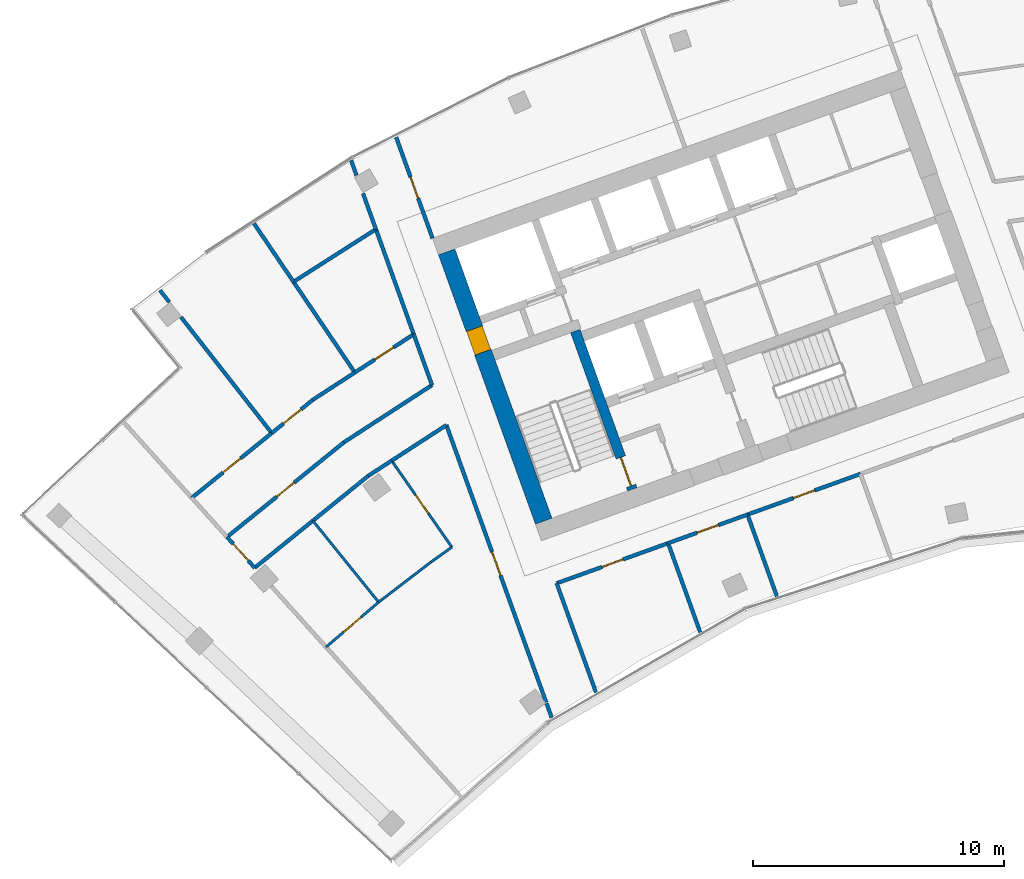
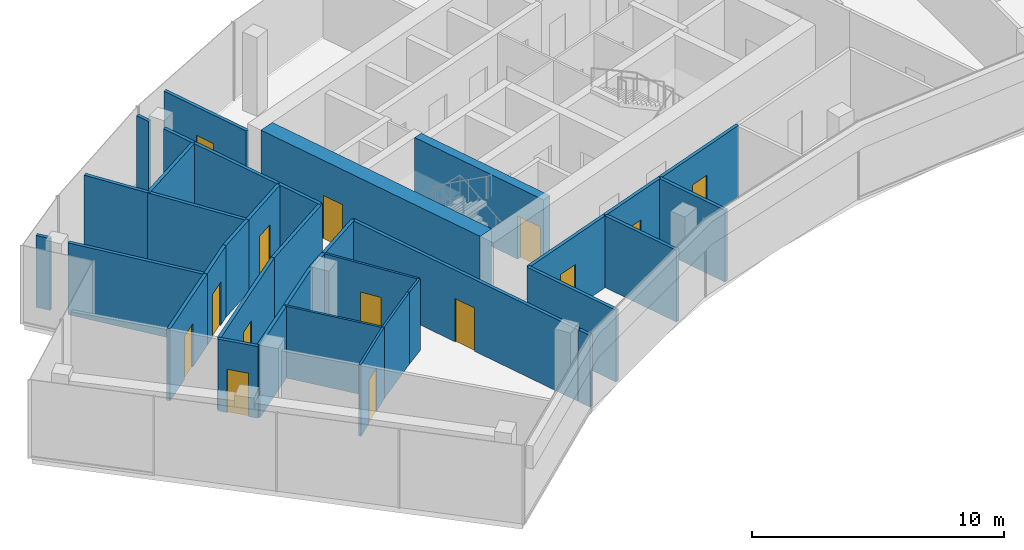
# One storey, part 12 of 18: 36 walls, 14 doors, 14 openings.
"""IFC4 building model written with IfcOpenShell, lengths in metres."""

from ifc_helpers import new_model, si_unit, direction, frame, frame_2d, origin, place, context, subcontext, project, spatial, rectangle, extrude, material, layer, layer_set, type_object, element, fill, save


model = new_model("IFC4")

# Units and contexts
model_context = context("Model", 3, precision=1e-05, world=origin(), true_north=direction((0.0, 1.0)))
body_context = subcontext(model_context, "Body", "Model", "MODEL_VIEW")
ifc_project = project(units=[si_unit("LENGTHUNIT", "METRE"), si_unit("AREAUNIT", "SQUARE_METRE"), si_unit("VOLUMEUNIT", "CUBIC_METRE"), si_unit("PLANEANGLEUNIT", "RADIAN"), si_unit("MASSUNIT", "GRAM", prefix="KILO")], contexts=[model_context])

# Site, building, storey
site_placement = place(None, origin())
site = spatial("IfcSite", under=ifc_project, at=site_placement, CompositionType="ELEMENT")
building_placement = place(site_placement, origin())
building = spatial("IfcBuilding", under=site, at=building_placement, Name="Stone Belt Terrace Tower", CompositionType="ELEMENT")
storey_placement = place(building_placement, frame((0.0, 0.0, 296.0)))
storey = spatial("IfcBuildingStorey", under=building, at=storey_placement, Name="L72", CompositionType="ELEMENT", Elevation=296.0)

# Wall, opening, door
ifc_material_1 = material(Name="Concrete B60", Category="concrete")
ifc_layer_1 = layer(ifc_material_1, 0.699951171875)
ifc_layer_set_1 = layer_set([ifc_layer_1], Name="Core wall 700 B60")
wall_type_1 = type_object("IfcWallType", Name="Core wall 700 B60", PredefinedType="SHEAR", material=ifc_layer_set_1)
wall_1_placement = place(storey_placement, frame((-25.679931640625, 43.153564453125, 0.0), z_axis=(0.0, 0.0, 1.0), x_axis=(-0.338625431531, 0.940921259788, 0.0)))
wall_1 = element("IfcWall", 1, at=wall_1_placement, inside=storey, type_object=wall_type_1, Name="Core A wall end_a L72", PredefinedType="SHEAR", context=body_context, shape_type="SweptSolid", body=[
    extrude(rectangle(XDim=11.400146484375, YDim=0.699951171875, at=frame_2d((5.7001953125, 0.0))), origin(), (0.0, 0.0, 1.0), 3.800048828125),
])
opening_1_placement = place(wall_1_placement, frame((7.14990234375, 0.0, 0.0)))
opening_1 = element("IfcOpeningElement", 2, at=opening_1_placement, cuts=wall_1, Name="Opening L72-C06", PredefinedType="OPENING", context=body_context, shape_type="SweptSolid", body=[
    extrude(rectangle(XDim=1.0, YDim=2.10009765625, at=frame_2d((0.5, 1.050048828125))), frame((0.0, 0.35986328125, 0.0), z_axis=(0.0, -1.0, 0.0), x_axis=(1.0, 0.0, 0.0)), (0.0, 0.0, 1.0), 0.719970703125),
])
ifc_material_2 = material(Name="Timber door leaf", Category="wood")
door_type_1 = type_object("IfcDoorType", Name="Core room door 1000", OperationType="SINGLE_SWING_LEFT", PredefinedType="DOOR", material=ifc_material_2)
door_1_placement = place(opening_1_placement, origin())
door_1 = element("IfcDoor", 3, at=door_1_placement, inside=storey, type_object=door_type_1, Name="Door to Telecommunications riser room core A", OperationType="SINGLE_SWING_LEFT", OverallHeight=2.10009765625, OverallWidth=1.0, PredefinedType="DOOR", context=body_context, shape_type="SweptSolid", body=[
    extrude(rectangle(XDim=1.0, YDim=2.10009765625, at=frame_2d((0.5, 1.050048828125))), frame((0.0, 0.330078125, 0.0), z_axis=(0.0, -1.0, 0.0), x_axis=(1.0, 0.0, 0.0)), (0.0, 0.0, 1.0), 0.659912109375),
])
fill(opening_1, door_1)

ifc_material_3 = material(Name="Gypsum board partition")
ifc_layer_2 = layer(ifc_material_3, 0.10009765625)
ifc_layer_set_2 = layer_set([ifc_layer_2], Name="PARTITION 100")
wall_type_2 = type_object("IfcWallType", Name="PARTITION 100", PredefinedType="PARTITIONING", material=ifc_layer_set_2)
wall_2_placement = place(storey_placement, frame((-34.345947265625, 38.14501953125, 0.0), z_axis=(0.0, 0.0, 1.0), x_axis=(0.760714101822, 0.649087093763, 0.0)))
wall_2 = element("IfcWall", 4, at=wall_2_placement, inside=storey, type_object=wall_type_2, Name="L72/wall/i053", PredefinedType="PARTITIONING", context=body_context, shape_type="SweptSolid", body=[
    extrude(rectangle(XDim=2.75146484375, YDim=0.10009765625, at=frame_2d((1.375732421875, 0.0))), origin(), (0.0, 0.0, 1.0), 3.47998046875),
])
opening_2_placement = place(wall_2_placement, frame((0.92578125, 0.0, 0.0)))
opening_2 = element("IfcOpeningElement", 5, at=opening_2_placement, cuts=wall_2, Name="Opening D-E5-15", PredefinedType="OPENING", context=body_context, shape_type="SweptSolid", body=[
    extrude(rectangle(XDim=0.89990234375, YDim=2.10009765625, at=frame_2d((0.449951171875, 1.050048828125))), frame((0.0, 0.06005859375, 0.0), z_axis=(0.0, -1.0, 0.0), x_axis=(1.0, 0.0, 0.0)), (0.0, 0.0, 1.0), 0.1201171875),
])
door_type_2 = type_object("IfcDoorType", Name="OFFICE DOOR 900 X 2100", OperationType="NOTDEFINED", PredefinedType="DOOR", material=ifc_material_2)
door_2_placement = place(opening_2_placement, origin())
door_2 = element("IfcDoor", 6, at=door_2_placement, inside=storey, type_object=door_type_2, Name="L72/door/i15", OperationType="SINGLE_SWING_RIGHT", OverallHeight=2.10009765625, OverallWidth=0.89990234375, PredefinedType="DOOR", context=body_context, shape_type="SweptSolid", body=[
    extrude(rectangle(XDim=0.89990234375, YDim=2.10009765625, at=frame_2d((0.449951171875, 1.050048828125))), frame((0.0, 0.02490234375, 0.0), z_axis=(0.0, -1.0, 0.0), x_axis=(1.0, 0.0, 0.0)), (0.0, 0.0, 1.0), 0.050048828125),
])
fill(opening_2, door_2)

# Walls
wall_3_placement = place(storey_placement, frame((-32.2529296875, 39.930908203125, 0.0), z_axis=(0.0, 0.0, 1.0), x_axis=(0.793612352495, 0.608423728965, 0.0)))
element("IfcWall", 7, at=wall_3_placement, inside=storey, type_object=wall_type_2, Name="L72/wall/i054", PredefinedType="PARTITIONING", context=body_context, shape_type="SweptSolid", body=[
    extrude(rectangle(XDim=2.62353515625, YDim=0.10009765625, at=frame_2d((1.311767578125, 0.0))), origin(), (0.0, 0.0, 1.0), 3.47998046875),
])
wall_4_placement = place(storey_placement, frame((-30.1708984375, 41.527099609375, 0.0), z_axis=(0.0, 0.0, 1.0), x_axis=(0.814842783231, 0.579682015088, 0.0)))
element("IfcWall", 8, at=wall_4_placement, inside=storey, type_object=wall_type_2, Name="L72/wall/i055", PredefinedType="PARTITIONING", context=body_context, shape_type="SweptSolid", body=[
    extrude(rectangle(XDim=1.024658203125, YDim=0.10009765625, at=frame_2d((0.51220703125, 0.0))), origin(), (0.0, 0.0, 1.0), 3.47998046875),
])

# Wall, opening, door
wall_5_placement = place(storey_placement, frame((-29.3359375, 42.12109375, 0.0), z_axis=(0.0, 0.0, 1.0), x_axis=(-0.571618252219, 0.820519697344, 0.0)))
wall_5 = element("IfcWall", 9, at=wall_5_placement, inside=storey, type_object=wall_type_2, Name="L72/wall/i056", PredefinedType="PARTITIONING", context=body_context, shape_type="SweptSolid", body=[
    extrude(rectangle(XDim=4.197265625, YDim=0.10009765625, at=frame_2d((2.0986328125, 0.0))), origin(), (0.0, 0.0, 1.0), 3.47998046875),
])
opening_3_placement = place(wall_5_placement, frame((1.648681640625, 0.0, 0.0)))
opening_3 = element("IfcOpeningElement", 10, at=opening_3_placement, cuts=wall_5, Name="Opening D-E5-16", PredefinedType="OPENING", context=body_context, shape_type="SweptSolid", body=[
    extrude(rectangle(XDim=0.89990234375, YDim=2.10009765625, at=frame_2d((0.449951171875, 1.050048828125))), frame((0.0, 0.06005859375, 0.0), z_axis=(0.0, -1.0, 0.0), x_axis=(1.0, 0.0, 0.0)), (0.0, 0.0, 1.0), 0.1201171875),
])
door_3_placement = place(opening_3_placement, origin())
door_3 = element("IfcDoor", 11, at=door_3_placement, inside=storey, type_object=door_type_2, Name="L72/door/i16", OperationType="SINGLE_SWING_RIGHT", OverallHeight=2.10009765625, OverallWidth=0.89990234375, PredefinedType="DOOR", context=body_context, shape_type="SweptSolid", body=[
    extrude(rectangle(XDim=0.89990234375, YDim=2.10009765625, at=frame_2d((0.449951171875, 1.050048828125))), frame((0.0, 0.02490234375, 0.0), z_axis=(0.0, -1.0, 0.0), x_axis=(1.0, 0.0, 0.0)), (0.0, 0.0, 1.0), 0.050048828125),
])
fill(opening_3, door_3)

# Walls
wall_6_placement = place(storey_placement, frame((-34.873046875, 43.174072265625, 0.0), z_axis=(0.0, 0.0, 1.0), x_axis=(0.628429786717, -0.777866314457, 0.0)))
element("IfcWall", 12, at=wall_6_placement, inside=storey, type_object=wall_type_2, Name="L72/wall/i057", PredefinedType="PARTITIONING", context=body_context, shape_type="SweptSolid", body=[
    extrude(rectangle(XDim=4.169189453125, YDim=0.10009765625, at=frame_2d((2.08447265625, 0.0))), origin(), (0.0, 0.0, 1.0), 3.47998046875),
])
ifc_layer_3 = layer(ifc_material_3, 0.14990234375)
ifc_layer_set_3 = layer_set([ifc_layer_3], Name="PARTITION 150 EI 60")
wall_type_3 = type_object("IfcWallType", Name="PARTITION 150 EI 60", PredefinedType="PARTITIONING", material=ifc_layer_set_3)
wall_7_placement = place(storey_placement, frame((-25.1650390625, 40.68896484375, 0.0), z_axis=(0.0, 0.0, 1.0), x_axis=(0.338609342271, -0.94092704995, 0.0)))
element("IfcWall", 13, at=wall_7_placement, inside=storey, type_object=wall_type_3, Name="L72/wall/i001", PredefinedType="PARTITIONING", context=body_context, shape_type="SweptSolid", body=[
    extrude(rectangle(XDim=4.6318359375, YDim=0.14990234375, at=frame_2d((2.31591796875, 0.0))), origin(), (0.0, 0.0, 1.0), 3.47998046875),
])

# Wall, opening, door
wall_8_placement = place(storey_placement, frame((-31.556884765625, 58.4521484375, 0.0), z_axis=(0.0, 0.0, 1.0), x_axis=(0.338580264222, -0.940937513695, 0.0)))
wall_8 = element("IfcWall", 14, at=wall_8_placement, inside=storey, type_object=wall_type_3, Name="L72/wall/i002", PredefinedType="PARTITIONING", context=body_context, shape_type="SweptSolid", body=[
    extrude(rectangle(XDim=4.285400390625, YDim=0.14990234375, at=frame_2d((2.142578125, 0.0))), origin(), (0.0, 0.0, 1.0), 3.47998046875),
])
opening_4_placement = place(wall_8_placement, frame((1.692626953125, 0.0, 0.0)))
opening_4 = element("IfcOpeningElement", 15, at=opening_4_placement, cuts=wall_8, Name="Opening D-E5-05", PredefinedType="OPENING", context=body_context, shape_type="SweptSolid", body=[
    extrude(rectangle(XDim=0.89990234375, YDim=2.10009765625, at=frame_2d((0.449951171875, 1.050048828125))), frame((0.0, 0.0849609375, 0.0), z_axis=(0.0, -1.0, 0.0), x_axis=(1.0, 0.0, 0.0)), (0.0, 0.0, 1.0), 0.169921875),
])
door_4_placement = place(opening_4_placement, origin())
door_4 = element("IfcDoor", 16, at=door_4_placement, inside=storey, type_object=door_type_2, Name="L72/door/i05", OperationType="SINGLE_SWING_RIGHT", OverallHeight=2.10009765625, OverallWidth=0.89990234375, PredefinedType="DOOR", context=body_context, shape_type="SweptSolid", body=[
    extrude(rectangle(XDim=0.89990234375, YDim=2.10009765625, at=frame_2d((0.449951171875, 1.050048828125))), frame((0.0, 0.02490234375, 0.0), z_axis=(0.0, -1.0, 0.0), x_axis=(1.0, 0.0, 0.0)), (0.0, 0.0, 1.0), 0.050048828125),
])
fill(opening_4, door_4)

# Wall
wall_9_placement = place(storey_placement, frame((-25.361083984375, 35.329833984375, 0.0), z_axis=(0.0, 0.0, 1.0), x_axis=(-0.338633814852, 0.940918242696, 0.0)))
element("IfcWall", 17, at=wall_9_placement, inside=storey, type_object=wall_type_3, Name="L72/wall/i003", PredefinedType="PARTITIONING", context=body_context, shape_type="SweptSolid", body=[
    extrude(rectangle(XDim=0.605712890625, YDim=0.14990234375, at=frame_2d((0.302734375, 0.0))), origin(), (0.0, 0.0, 1.0), 3.47998046875),
])

# Wall, opening, door
wall_10_placement = place(storey_placement, frame((-25.5810546875, 35.94091796875, 0.0), z_axis=(0.0, 0.0, 1.0), x_axis=(-0.338660555828, 0.940908618265, 0.0)))
wall_10 = element("IfcWall", 18, at=wall_10_placement, inside=storey, type_object=wall_type_3, Name="L72/wall/i004", PredefinedType="PARTITIONING", context=body_context, shape_type="SweptSolid", body=[
    extrude(rectangle(XDim=11.73974609375, YDim=0.14990234375, at=frame_2d((5.869873046875, 0.0))), origin(), (0.0, 0.0, 1.0), 3.47998046875),
])
opening_5_placement = place(wall_10_placement, frame((5.369873046875, 0.0, 0.0)))
opening_5 = element("IfcOpeningElement", 19, at=opening_5_placement, cuts=wall_10, Name="Opening D-E5-14", PredefinedType="OPENING", context=body_context, shape_type="SweptSolid", body=[
    extrude(rectangle(XDim=1.0, YDim=2.10009765625, at=frame_2d((0.5, 1.050048828125))), frame((0.0, 0.0849609375, 0.0), z_axis=(0.0, -1.0, 0.0), x_axis=(1.0, 0.0, 0.0)), (0.0, 0.0, 1.0), 0.169921875),
])
ifc_material_4 = material(Name="Timber fire door leaf", Category="wood")
door_type_3 = type_object("IfcDoorType", Name="TENANCY ENTRANCE DOOR 1000 X 2100", OperationType="NOTDEFINED", PredefinedType="DOOR", material=ifc_material_4)
door_5_placement = place(opening_5_placement, origin())
door_5 = element("IfcDoor", 20, at=door_5_placement, inside=storey, type_object=door_type_3, Name="L72/door/i14", OperationType="SINGLE_SWING_LEFT", OverallHeight=2.10009765625, OverallWidth=1.0, PredefinedType="DOOR", context=body_context, shape_type="SweptSolid", body=[
    extrude(rectangle(XDim=1.0, YDim=2.10009765625, at=frame_2d((0.5, 1.050048828125))), frame((0.0, 0.02490234375, 0.0), z_axis=(0.0, -1.0, 0.0), x_axis=(1.0, 0.0, 0.0)), (0.0, 0.0, 1.0), 0.050048828125),
])
fill(opening_5, door_5)

# Walls
wall_11_placement = place(storey_placement, frame((-30.1259765625, 48.568115234375, 0.0), z_axis=(0.0, 0.0, 1.0), x_axis=(-0.338315840616, 0.941032620045, 0.0)))
element("IfcWall", 21, at=wall_11_placement, inside=storey, type_object=wall_type_3, Name="L72/wall/i005", PredefinedType="PARTITIONING", context=body_context, shape_type="SweptSolid", body=[
    extrude(rectangle(XDim=2.16357421875, YDim=0.14990234375, at=frame_2d((1.081787109375, 0.0))), origin(), (0.0, 0.0, 1.0), 3.47998046875),
])
wall_12_placement = place(storey_placement, frame((-30.85400390625, 50.592041015625, 0.0), z_axis=(0.0, 0.0, 1.0), x_axis=(-0.338676809605, 0.940902767897, 0.0)))
element("IfcWall", 22, at=wall_12_placement, inside=storey, type_object=wall_type_3, Name="L72/wall/i006", PredefinedType="PARTITIONING", context=body_context, shape_type="SweptSolid", body=[
    extrude(rectangle(XDim=4.45849609375, YDim=0.14990234375, at=frame_2d((2.229248046875, 0.0))), origin(), (0.0, 0.0, 1.0), 3.47998046875),
])
wall_13_placement = place(storey_placement, frame((-32.360107421875, 54.77490234375, 0.0), z_axis=(0.0, 0.0, 1.0), x_axis=(-0.338469522462, 0.940977354863, 0.0)))
element("IfcWall", 23, at=wall_13_placement, inside=storey, type_object=wall_type_3, Name="L72/wall/i007", PredefinedType="PARTITIONING", context=body_context, shape_type="SweptSolid", body=[
    extrude(rectangle(XDim=1.52197265625, YDim=0.14990234375, at=frame_2d((0.760986328125, 0.0))), origin(), (0.0, 0.0, 1.0), 3.47998046875),
])
wall_14_placement = place(storey_placement, frame((-33.134765625, 56.928466796875, 0.0), z_axis=(0.0, 0.0, 1.0), x_axis=(-0.338733145318, 0.94088248802, 0.0)))
element("IfcWall", 24, at=wall_14_placement, inside=storey, type_object=wall_type_3, Name="L72/wall/i008", PredefinedType="PARTITIONING", context=body_context, shape_type="SweptSolid", body=[
    extrude(rectangle(XDim=0.632080078125, YDim=0.14990234375, at=frame_2d((0.31591796875, 0.0))), origin(), (0.0, 0.0, 1.0), 3.47998046875),
])

# Wall, opening, door
wall_15_placement = place(storey_placement, frame((-20.719970703125, 42.281982421875, 0.0), z_axis=(0.0, 0.0, 1.0), x_axis=(-0.94093090438, -0.338598631396, 0.0)))
wall_15 = element("IfcWall", 25, at=wall_15_placement, inside=storey, type_object=wall_type_3, Name="L72/wall/i015", PredefinedType="PARTITIONING", context=body_context, shape_type="SweptSolid", body=[
    extrude(rectangle(XDim=4.721923828125, YDim=0.14990234375, at=frame_2d((2.36083984375, 0.0))), origin(), (0.0, 0.0, 1.0), 3.47998046875),
])
opening_6_placement = place(wall_15_placement, frame((1.910888671875, 0.0, 0.0)))
opening_6 = element("IfcOpeningElement", 26, at=opening_6_placement, cuts=wall_15, Name="Opening D-E5-01", PredefinedType="OPENING", context=body_context, shape_type="SweptSolid", body=[
    extrude(rectangle(XDim=0.89990234375, YDim=2.10009765625, at=frame_2d((0.449951171875, 1.050048828125))), frame((0.0, 0.0849609375, 0.0), z_axis=(0.0, -1.0, 0.0), x_axis=(1.0, 0.0, 0.0)), (0.0, 0.0, 1.0), 0.169921875),
])
door_6_placement = place(opening_6_placement, origin())
door_6 = element("IfcDoor", 27, at=door_6_placement, inside=storey, type_object=door_type_2, Name="L72/door/i01", OperationType="SINGLE_SWING_RIGHT", OverallHeight=2.10009765625, OverallWidth=0.89990234375, PredefinedType="DOOR", context=body_context, shape_type="SweptSolid", body=[
    extrude(rectangle(XDim=0.89990234375, YDim=2.10009765625, at=frame_2d((0.449951171875, 1.050048828125))), frame((0.0, 0.02490234375, 0.0), z_axis=(0.0, -1.0, 0.0), x_axis=(1.0, 0.0, 0.0)), (0.0, 0.0, 1.0), 0.050048828125),
])
fill(opening_6, door_6)

wall_16_placement = place(storey_placement, frame((-17.56005859375, 43.419921875, 0.0), z_axis=(0.0, 0.0, 1.0), x_axis=(-0.940890181469, -0.338711774841, 0.0)))
wall_16 = element("IfcWall", 28, at=wall_16_placement, inside=storey, type_object=wall_type_3, Name="L72/wall/i016", PredefinedType="PARTITIONING", context=body_context, shape_type="SweptSolid", body=[
    extrude(rectangle(XDim=3.37109375, YDim=0.14990234375, at=frame_2d((1.685546875, 0.0))), origin(), (0.0, 0.0, 1.0), 3.47998046875),
])
opening_7_placement = place(wall_16_placement, frame((1.235595703125, 0.0, 0.0)))
opening_7 = element("IfcOpeningElement", 29, at=opening_7_placement, cuts=wall_16, Name="Opening D-E5-02", PredefinedType="OPENING", context=body_context, shape_type="SweptSolid", body=[
    extrude(rectangle(XDim=0.89990234375, YDim=2.10009765625, at=frame_2d((0.449951171875, 1.050048828125))), frame((0.0, 0.0849609375, 0.0), z_axis=(0.0, -1.0, 0.0), x_axis=(1.0, 0.0, 0.0)), (0.0, 0.0, 1.0), 0.169921875),
])
door_7_placement = place(opening_7_placement, origin())
door_7 = element("IfcDoor", 30, at=door_7_placement, inside=storey, type_object=door_type_2, Name="L72/door/i02", OperationType="SINGLE_SWING_RIGHT", OverallHeight=2.10009765625, OverallWidth=0.89990234375, PredefinedType="DOOR", context=body_context, shape_type="SweptSolid", body=[
    extrude(rectangle(XDim=0.89990234375, YDim=2.10009765625, at=frame_2d((0.449951171875, 1.050048828125))), frame((0.0, 0.02490234375, 0.0), z_axis=(0.0, -1.0, 0.0), x_axis=(1.0, 0.0, 0.0)), (0.0, 0.0, 1.0), 0.050048828125),
])
fill(opening_7, door_7)

wall_17_placement = place(storey_placement, frame((-13.06103515625, 45.0390625, 0.0), z_axis=(0.0, 0.0, 1.0), x_axis=(-0.94092441718, -0.338616658118, 0.0)))
wall_17 = element("IfcWall", 31, at=wall_17_placement, inside=storey, type_object=wall_type_3, Name="L72/wall/i017", PredefinedType="PARTITIONING", context=body_context, shape_type="SweptSolid", body=[
    extrude(rectangle(XDim=4.793212890625, YDim=0.14990234375, at=frame_2d((2.396484375, 0.0))), origin(), (0.0, 0.0, 1.0), 3.47998046875),
])
opening_8_placement = place(wall_17_placement, frame((1.946533203125, 0.0, 0.0)))
opening_8 = element("IfcOpeningElement", 32, at=opening_8_placement, cuts=wall_17, Name="Opening D-E5-03", PredefinedType="OPENING", context=body_context, shape_type="SweptSolid", body=[
    extrude(rectangle(XDim=0.89990234375, YDim=2.10009765625, at=frame_2d((0.449951171875, 1.050048828125))), frame((0.0, 0.0849609375, 0.0), z_axis=(0.0, -1.0, 0.0), x_axis=(1.0, 0.0, 0.0)), (0.0, 0.0, 1.0), 0.169921875),
])
door_8_placement = place(opening_8_placement, origin())
door_8 = element("IfcDoor", 33, at=door_8_placement, inside=storey, type_object=door_type_2, Name="L72/door/i03", OperationType="SINGLE_SWING_RIGHT", OverallHeight=2.10009765625, OverallWidth=0.89990234375, PredefinedType="DOOR", context=body_context, shape_type="SweptSolid", body=[
    extrude(rectangle(XDim=0.89990234375, YDim=2.10009765625, at=frame_2d((0.449951171875, 1.050048828125))), frame((0.0, 0.02490234375, 0.0), z_axis=(0.0, -1.0, 0.0), x_axis=(1.0, 0.0, 0.0)), (0.0, 0.0, 1.0), 0.050048828125),
])
fill(opening_8, door_8)

# Walls
wall_18_placement = place(storey_placement, frame((-20.72607421875, 42.280029296875, 0.0), z_axis=(0.0, 0.0, 1.0), x_axis=(0.338751516989, -0.940875873714, 0.0)))
element("IfcWall", 34, at=wall_18_placement, inside=storey, type_object=wall_type_3, Name="L72/wall/i019", PredefinedType="PARTITIONING", context=body_context, shape_type="SweptSolid", body=[
    extrude(rectangle(XDim=3.776611328125, YDim=0.14990234375, at=frame_2d((1.88818359375, 0.0))), origin(), (0.0, 0.0, 1.0), 3.47998046875),
])
wall_19_placement = place(storey_placement, frame((-17.56494140625, 43.4169921875, 0.0), z_axis=(0.0, 0.0, 1.0), x_axis=(0.338494573949, -0.940968343467, 0.0)))
element("IfcWall", 35, at=wall_19_placement, inside=storey, type_object=wall_type_3, Name="L72/wall/i020", PredefinedType="PARTITIONING", context=body_context, shape_type="SweptSolid", body=[
    extrude(rectangle(XDim=3.4599609375, YDim=0.14990234375, at=frame_2d((1.72998046875, 0.0))), origin(), (0.0, 0.0, 1.0), 3.47998046875),
])

# Wall, opening, door
wall_20_placement = place(storey_placement, frame((-37.18310546875, 41.294921875, 0.0), z_axis=(0.0, 0.0, 1.0), x_axis=(-0.669037778615, 0.743228397456, 0.0)))
wall_20 = element("IfcWall", 36, at=wall_20_placement, inside=storey, type_object=wall_type_3, Name="L72/wall/i042", PredefinedType="PARTITIONING", context=body_context, shape_type="SweptSolid", body=[
    extrude(rectangle(XDim=1.661865234375, YDim=0.14990234375, at=frame_2d((0.8310546875, 0.0))), origin(), (0.0, 0.0, 1.0), 3.47998046875),
])
opening_9_placement = place(wall_20_placement, frame((0.380859375, 0.0, 0.0)))
opening_9 = element("IfcOpeningElement", 37, at=opening_9_placement, cuts=wall_20, Name="Opening D-E5-13", PredefinedType="OPENING", context=body_context, shape_type="SweptSolid", body=[
    extrude(rectangle(XDim=0.89990234375, YDim=2.10009765625, at=frame_2d((0.449951171875, 1.050048828125))), frame((0.0, 0.0849609375, 0.0), z_axis=(0.0, -1.0, 0.0), x_axis=(1.0, 0.0, 0.0)), (0.0, 0.0, 1.0), 0.169921875),
])
door_9_placement = place(opening_9_placement, origin())
door_9 = element("IfcDoor", 38, at=door_9_placement, inside=storey, type_object=door_type_2, Name="L72/door/i13", OperationType="SINGLE_SWING_RIGHT", OverallHeight=2.10009765625, OverallWidth=0.89990234375, PredefinedType="DOOR", context=body_context, shape_type="SweptSolid", body=[
    extrude(rectangle(XDim=0.89990234375, YDim=2.10009765625, at=frame_2d((0.449951171875, 1.050048828125))), frame((0.0, 0.02490234375, 0.0), z_axis=(0.0, -1.0, 0.0), x_axis=(1.0, 0.0, 0.0)), (0.0, 0.0, 1.0), 0.050048828125),
])
fill(opening_9, door_9)

# Walls
wall_21_placement = place(storey_placement, frame((-29.554931640625, 46.98095703125, 0.0), z_axis=(0.0, 0.0, 1.0), x_axis=(-0.838679041063, -0.544625987336, 0.0)))
element("IfcWall", 39, at=wall_21_placement, inside=storey, type_object=wall_type_3, Name="L72/wall/i047", PredefinedType="PARTITIONING", context=body_context, shape_type="SweptSolid", body=[
    extrude(rectangle(XDim=2.60546875, YDim=0.14990234375, at=frame_2d((1.302734375, 0.0))), origin(), (0.0, 0.0, 1.0), 3.47998046875),
])
wall_22_placement = place(storey_placement, frame((-34.867919921875, 43.177978515625, 0.0), z_axis=(0.0, 0.0, 1.0), x_axis=(-0.777151504494, -0.629313545907, 0.0)))
element("IfcWall", 40, at=wall_22_placement, inside=storey, type_object=wall_type_3, Name="L72/wall/i048", PredefinedType="PARTITIONING", context=body_context, shape_type="SweptSolid", body=[
    extrude(rectangle(XDim=2.984130859375, YDim=0.14990234375, at=frame_2d((1.4921875, 0.0))), origin(), (0.0, 0.0, 1.0), 3.47998046875),
])
wall_23_placement = place(storey_placement, frame((-31.72998046875, 45.568115234375, 0.0), z_axis=(0.0, 0.0, 1.0), x_axis=(-0.838953186683, -0.544203592927, 0.0)))
element("IfcWall", 41, at=wall_23_placement, inside=storey, type_object=wall_type_3, Name="L72/wall/i049", PredefinedType="PARTITIONING", context=body_context, shape_type="SweptSolid", body=[
    extrude(rectangle(XDim=1.11572265625, YDim=0.14990234375, at=frame_2d((0.557861328125, 0.0))), origin(), (0.0, 0.0, 1.0), 3.47998046875),
])
wall_24_placement = place(storey_placement, frame((-32.666015625, 44.9609375, 0.0), z_axis=(0.0, 0.0, 1.0), x_axis=(-0.77717295087, -0.629287060439, 0.0)))
element("IfcWall", 42, at=wall_24_placement, inside=storey, type_object=wall_type_3, Name="L72/wall/i050", PredefinedType="PARTITIONING", context=body_context, shape_type="SweptSolid", body=[
    extrude(rectangle(XDim=2.84619140625, YDim=0.14990234375, at=frame_2d((1.423095703125, 0.0))), origin(), (0.0, 0.0, 1.0), 3.47998046875),
])

# Wall, opening, door
wall_25_placement = place(storey_placement, frame((-38.291015625, 42.52587890625, 0.0), z_axis=(0.0, 0.0, 1.0), x_axis=(0.777109127033, 0.629365875054, 0.0)))
wall_25 = element("IfcWall", 43, at=wall_25_placement, inside=storey, type_object=wall_type_3, Name="L72/wall/i051", PredefinedType="PARTITIONING", context=body_context, shape_type="SweptSolid", body=[
    extrude(rectangle(XDim=5.990234375, YDim=0.14990234375, at=frame_2d((2.9951171875, 0.0))), origin(), (0.0, 0.0, 1.0), 3.47998046875),
])
opening_10_placement = place(wall_25_placement, frame((2.545166015625, 0.0, 0.0)))
opening_10 = element("IfcOpeningElement", 44, at=opening_10_placement, cuts=wall_25, Name="Opening D-E5-17", PredefinedType="OPENING", context=body_context, shape_type="SweptSolid", body=[
    extrude(rectangle(XDim=0.89990234375, YDim=2.10009765625, at=frame_2d((0.449951171875, 1.050048828125))), frame((0.0, 0.0849609375, 0.0), z_axis=(0.0, -1.0, 0.0), x_axis=(1.0, 0.0, 0.0)), (0.0, 0.0, 1.0), 0.169921875),
])
door_10_placement = place(opening_10_placement, origin())
door_10 = element("IfcDoor", 45, at=door_10_placement, inside=storey, type_object=door_type_2, Name="L72/door/i17", OperationType="SINGLE_SWING_RIGHT", OverallHeight=2.10009765625, OverallWidth=0.89990234375, PredefinedType="DOOR", context=body_context, shape_type="SweptSolid", body=[
    extrude(rectangle(XDim=0.89990234375, YDim=2.10009765625, at=frame_2d((0.449951171875, 1.050048828125))), frame((0.0, 0.02490234375, 0.0), z_axis=(0.0, -1.0, 0.0), x_axis=(1.0, 0.0, 0.0)), (0.0, 0.0, 1.0), 0.050048828125),
])
fill(opening_10, door_10)

# Wall
wall_26_placement = place(storey_placement, frame((-33.635986328125, 46.2958984375, 0.0), z_axis=(0.0, 0.0, 1.0), x_axis=(0.838679571288, 0.544625170832, 0.0)))
element("IfcWall", 46, at=wall_26_placement, inside=storey, type_object=wall_type_3, Name="L72/wall/i052", PredefinedType="PARTITIONING", context=body_context, shape_type="SweptSolid", body=[
    extrude(rectangle(XDim=4.182861328125, YDim=0.14990234375, at=frame_2d((2.09130859375, 0.0))), origin(), (0.0, 0.0, 1.0), 3.47998046875),
])

# Wall, opening, door
wall_27_placement = place(storey_placement, frame((-39.694091796875, 44.0849609375, 0.0), z_axis=(0.0, 0.0, 1.0), x_axis=(0.777210230824, 0.629241016703, 0.0)))
wall_27 = element("IfcWall", 47, at=wall_27_placement, inside=storey, type_object=wall_type_3, Name="L72/wall/i058", PredefinedType="PARTITIONING", context=body_context, shape_type="SweptSolid", body=[
    extrude(rectangle(XDim=4.103515625, YDim=0.14990234375, at=frame_2d((2.0517578125, 0.0))), origin(), (0.0, 0.0, 1.0), 3.47998046875),
])
opening_11_placement = place(wall_27_placement, frame((1.6015625, 0.0, 0.0)))
opening_11 = element("IfcOpeningElement", 48, at=opening_11_placement, cuts=wall_27, Name="Opening D-E5-18", PredefinedType="OPENING", context=body_context, shape_type="SweptSolid", body=[
    extrude(rectangle(XDim=0.89990234375, YDim=2.10009765625, at=frame_2d((0.449951171875, 1.050048828125))), frame((0.0, 0.0849609375, 0.0), z_axis=(0.0, -1.0, 0.0), x_axis=(1.0, 0.0, 0.0)), (0.0, 0.0, 1.0), 0.169921875),
])
door_11_placement = place(opening_11_placement, origin())
door_11 = element("IfcDoor", 49, at=door_11_placement, inside=storey, type_object=door_type_2, Name="L72/door/i18", OperationType="SINGLE_SWING_RIGHT", OverallHeight=2.10009765625, OverallWidth=0.89990234375, PredefinedType="DOOR", context=body_context, shape_type="SweptSolid", body=[
    extrude(rectangle(XDim=0.89990234375, YDim=2.10009765625, at=frame_2d((0.449951171875, 1.050048828125))), frame((0.0, 0.02490234375, 0.0), z_axis=(0.0, -1.0, 0.0), x_axis=(1.0, 0.0, 0.0)), (0.0, 0.0, 1.0), 0.050048828125),
])
fill(opening_11, door_11)

wall_28_placement = place(storey_placement, frame((-36.513916015625, 46.659912109375, 0.0), z_axis=(0.0, 0.0, 1.0), x_axis=(0.777164283985, 0.629297763939, 0.0)))
wall_28 = element("IfcWall", 50, at=wall_28_placement, inside=storey, type_object=wall_type_3, Name="L72/wall/i059", PredefinedType="PARTITIONING", context=body_context, shape_type="SweptSolid", body=[
    extrude(rectangle(XDim=2.11669921875, YDim=0.14990234375, at=frame_2d((1.058349609375, 0.0))), origin(), (0.0, 0.0, 1.0), 3.47998046875),
])
opening_12_placement = place(wall_28_placement, frame((0.6083984375, 0.0, 0.0)))
opening_12 = element("IfcOpeningElement", 51, at=opening_12_placement, cuts=wall_28, Name="Opening D-E5-19", PredefinedType="OPENING", context=body_context, shape_type="SweptSolid", body=[
    extrude(rectangle(XDim=0.89990234375, YDim=2.10009765625, at=frame_2d((0.449951171875, 1.050048828125))), frame((0.0, 0.0849609375, 0.0), z_axis=(0.0, -1.0, 0.0), x_axis=(1.0, 0.0, 0.0)), (0.0, 0.0, 1.0), 0.169921875),
])
door_12_placement = place(opening_12_placement, origin())
door_12 = element("IfcDoor", 52, at=door_12_placement, inside=storey, type_object=door_type_2, Name="L72/door/i19", OperationType="SINGLE_SWING_RIGHT", OverallHeight=2.10009765625, OverallWidth=0.89990234375, PredefinedType="DOOR", context=body_context, shape_type="SweptSolid", body=[
    extrude(rectangle(XDim=0.89990234375, YDim=2.10009765625, at=frame_2d((0.449951171875, 1.050048828125))), frame((0.0, 0.02490234375, 0.0), z_axis=(0.0, -1.0, 0.0), x_axis=(1.0, 0.0, 0.0)), (0.0, 0.0, 1.0), 0.050048828125),
])
fill(opening_12, door_12)

# Wall
wall_29_placement = place(storey_placement, frame((-34.868896484375, 47.991943359375, 0.0), z_axis=(0.0, 0.0, 1.0), x_axis=(0.838767892149, 0.544489139562, 0.0)))
element("IfcWall", 53, at=wall_29_placement, inside=storey, type_object=wall_type_3, Name="L72/wall/i060", PredefinedType="PARTITIONING", context=body_context, shape_type="SweptSolid", body=[
    extrude(rectangle(XDim=1.994384765625, YDim=0.14990234375, at=frame_2d((0.9970703125, 0.0))), origin(), (0.0, 0.0, 1.0), 3.47998046875),
])

# Wall, opening, door
wall_30_placement = place(storey_placement, frame((-33.2060546875, 49.072021484375, 0.0), z_axis=(0.0, 0.0, 1.0), x_axis=(0.838718223529, 0.544565644822, 0.0)))
wall_30 = element("IfcWall", 54, at=wall_30_placement, inside=storey, type_object=wall_type_3, Name="L72/wall/i061", PredefinedType="PARTITIONING", context=body_context, shape_type="SweptSolid", body=[
    extrude(rectangle(XDim=2.802001953125, YDim=0.14990234375, at=frame_2d((1.40087890625, 0.0))), origin(), (0.0, 0.0, 1.0), 3.47998046875),
])
opening_13_placement = place(wall_30_placement, frame((0.950927734375, 0.0, 0.0)))
opening_13 = element("IfcOpeningElement", 55, at=opening_13_placement, cuts=wall_30, Name="Opening D-E5-20", PredefinedType="OPENING", context=body_context, shape_type="SweptSolid", body=[
    extrude(rectangle(XDim=0.89990234375, YDim=2.10009765625, at=frame_2d((0.449951171875, 1.050048828125))), frame((0.0, 0.0849609375, 0.0), z_axis=(0.0, -1.0, 0.0), x_axis=(1.0, 0.0, 0.0)), (0.0, 0.0, 1.0), 0.169921875),
])
door_13_placement = place(opening_13_placement, origin())
door_13 = element("IfcDoor", 56, at=door_13_placement, inside=storey, type_object=door_type_2, Name="L72/door/i20", OperationType="SINGLE_SWING_RIGHT", OverallHeight=2.10009765625, OverallWidth=0.89990234375, PredefinedType="DOOR", context=body_context, shape_type="SweptSolid", body=[
    extrude(rectangle(XDim=0.89990234375, YDim=2.10009765625, at=frame_2d((0.449951171875, 1.050048828125))), frame((0.0, 0.02490234375, 0.0), z_axis=(0.0, -1.0, 0.0), x_axis=(1.0, 0.0, 0.0)), (0.0, 0.0, 1.0), 0.050048828125),
])
fill(opening_13, door_13)

# Walls
wall_31_placement = place(storey_placement, frame((-40.963623046875, 52.356689453125, 0.0), z_axis=(0.0, 0.0, 1.0), x_axis=(0.616134966401, -0.787640592642, 0.0)))
element("IfcWall", 57, at=wall_31_placement, inside=storey, type_object=wall_type_3, Name="L72/wall/i062", PredefinedType="PARTITIONING", context=body_context, shape_type="SweptSolid", body=[
    extrude(rectangle(XDim=0.60791015625, YDim=0.14990234375, at=frame_2d((0.303955078125, 0.0))), origin(), (0.0, 0.0, 1.0), 3.47998046875),
])
wall_32_placement = place(storey_placement, frame((-40.120849609375, 51.279541015625, 0.0), z_axis=(0.0, 0.0, 1.0), x_axis=(0.616173451087, -0.787610486329, 0.0)))
element("IfcWall", 58, at=wall_32_placement, inside=storey, type_object=wall_type_3, Name="L72/wall/i063", PredefinedType="PARTITIONING", context=body_context, shape_type="SweptSolid", body=[
    extrude(rectangle(XDim=5.860107421875, YDim=0.14990234375, at=frame_2d((2.93017578125, 0.0))), origin(), (0.0, 0.0, 1.0), 3.47998046875),
])
wall_33_placement = place(storey_placement, frame((-35.64697265625, 52.69091796875, 0.0), z_axis=(0.0, 0.0, 1.0), x_axis=(0.560301468636, -0.82828875656, 0.0)))
element("IfcWall", 59, at=wall_33_placement, inside=storey, type_object=wall_type_3, Name="L72/wall/i064", PredefinedType="PARTITIONING", context=body_context, shape_type="SweptSolid", body=[
    extrude(rectangle(XDim=4.365478515625, YDim=0.14990234375, at=frame_2d((2.1826171875, 0.0))), origin(), (0.0, 0.0, 1.0), 3.47998046875),
])
wall_34_placement = place(storey_placement, frame((-37.218017578125, 55.013916015625, 0.0), z_axis=(0.0, 0.0, 1.0), x_axis=(0.56028837955, -0.828297610609, 0.0)))
element("IfcWall", 60, at=wall_34_placement, inside=storey, type_object=wall_type_3, Name="L72/wall/i065", PredefinedType="PARTITIONING", context=body_context, shape_type="SweptSolid", body=[
    extrude(rectangle(XDim=2.816650390625, YDim=0.14990234375, at=frame_2d((1.408203125, 0.0))), origin(), (0.0, 0.0, 1.0), 3.47998046875),
])
wall_35_placement = place(storey_placement, frame((-35.64404296875, 52.68603515625, 0.0), z_axis=(0.0, 0.0, 1.0), x_axis=(0.842911923686, 0.538051567146, 0.0)))
element("IfcWall", 61, at=wall_35_placement, inside=storey, type_object=wall_type_3, Name="L72/wall/i066", PredefinedType="PARTITIONING", context=body_context, shape_type="SweptSolid", body=[
    extrude(rectangle(XDim=3.8935546875, YDim=0.14990234375, at=frame_2d((1.94677734375, 0.0))), origin(), (0.0, 0.0, 1.0), 3.47998046875),
])

# Wall, opening, door
ifc_material_5 = material(Name="Concrete B80", Category="concrete")
ifc_layer_4 = layer(ifc_material_5, 0.39990234375)
ifc_layer_set_4 = layer_set([ifc_layer_4], Name="Stair enclosure wall 400")
wall_type_4 = type_object("IfcWallType", Name="Stair enclosure wall 400", PredefinedType="SHEAR", material=ifc_layer_set_4)
wall_36_placement = place(storey_placement, frame((-22.151611328125, 44.42333984375, 0.0), z_axis=(0.0, 0.0, 1.0), x_axis=(-0.338625272931, 0.940921316866, 0.0)))
wall_36 = element("IfcWall", 62, at=wall_36_placement, inside=storey, type_object=wall_type_4, Name="Core A wall", PredefinedType="SHEAR", context=body_context, shape_type="SweptSolid", body=[
    extrude(rectangle(XDim=6.699951171875, YDim=0.39990234375, at=frame_2d((3.35009765625, 0.0))), origin(), (0.0, 0.0, 1.0), 3.47998046875),
])
opening_14_placement = place(wall_36_placement, frame((0.14990234375, 0.0, 0.0)))
opening_14 = element("IfcOpeningElement", 63, at=opening_14_placement, cuts=wall_36, Name="Opening L72-C10", PredefinedType="OPENING", context=body_context, shape_type="SweptSolid", body=[
    extrude(rectangle(XDim=1.199951171875, YDim=2.10009765625, at=frame_2d((0.60009765625, 1.050048828125))), frame((0.0, 0.2099609375, 0.0), z_axis=(0.0, -1.0, 0.0), x_axis=(1.0, 0.0, 0.0)), (0.0, 0.0, 1.0), 0.419921875),
])
ifc_material_6 = material(Name="Steel door leaf", Category="steel")
door_type_4 = type_object("IfcDoorType", Name="Stair door 1200", OperationType="SINGLE_SWING_LEFT", PredefinedType="DOOR", material=ifc_material_6)
door_14_placement = place(opening_14_placement, origin())
door_14 = element("IfcDoor", 64, at=door_14_placement, inside=storey, type_object=door_type_4, Name="Stair 1 door core A", OperationType="SINGLE_SWING_RIGHT", OverallHeight=2.10009765625, OverallWidth=1.199951171875, PredefinedType="DOOR", context=body_context, shape_type="SweptSolid", body=[
    extrude(rectangle(XDim=1.199951171875, YDim=2.10009765625, at=frame_2d((0.60009765625, 1.050048828125))), frame((0.0, 0.02490234375, 0.0), z_axis=(0.0, -1.0, 0.0), x_axis=(1.0, 0.0, 0.0)), (0.0, 0.0, 1.0), 0.050048828125),
])
fill(opening_14, door_14)

save(model, "model.ifc")
